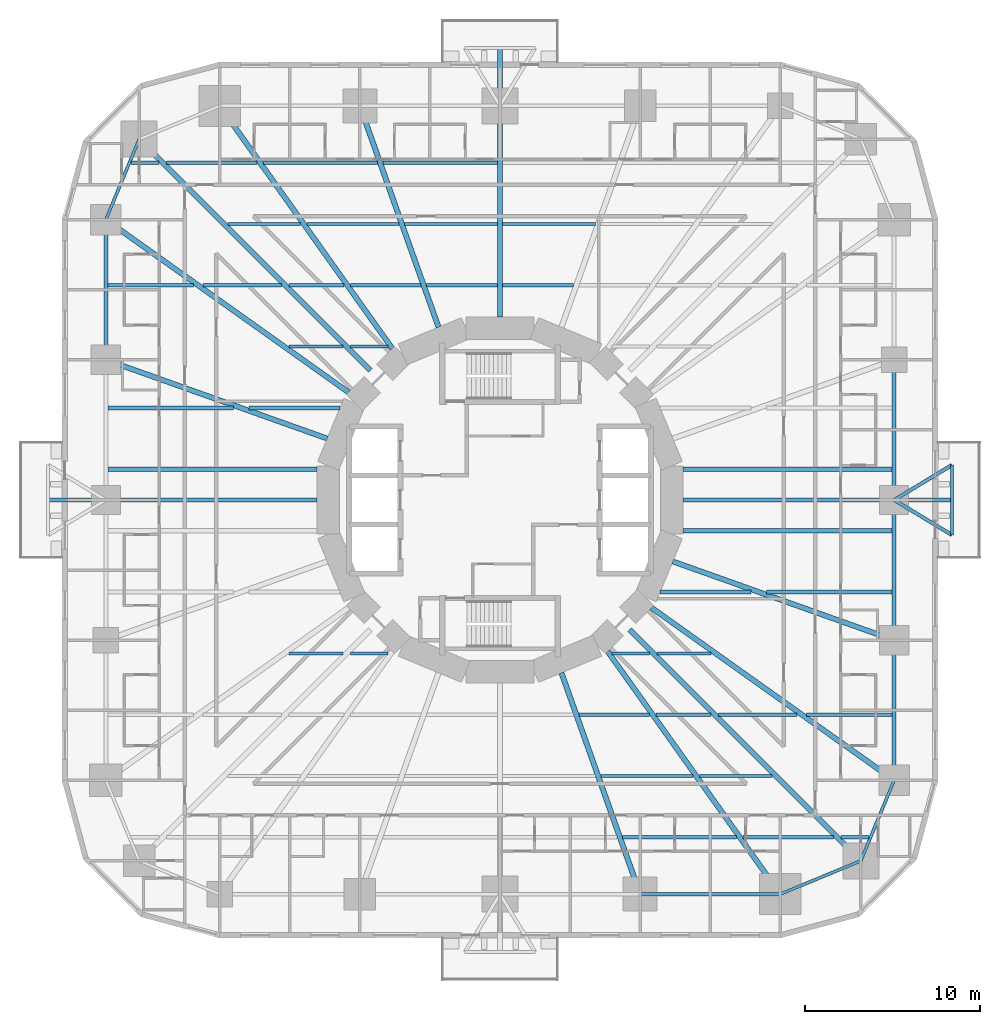
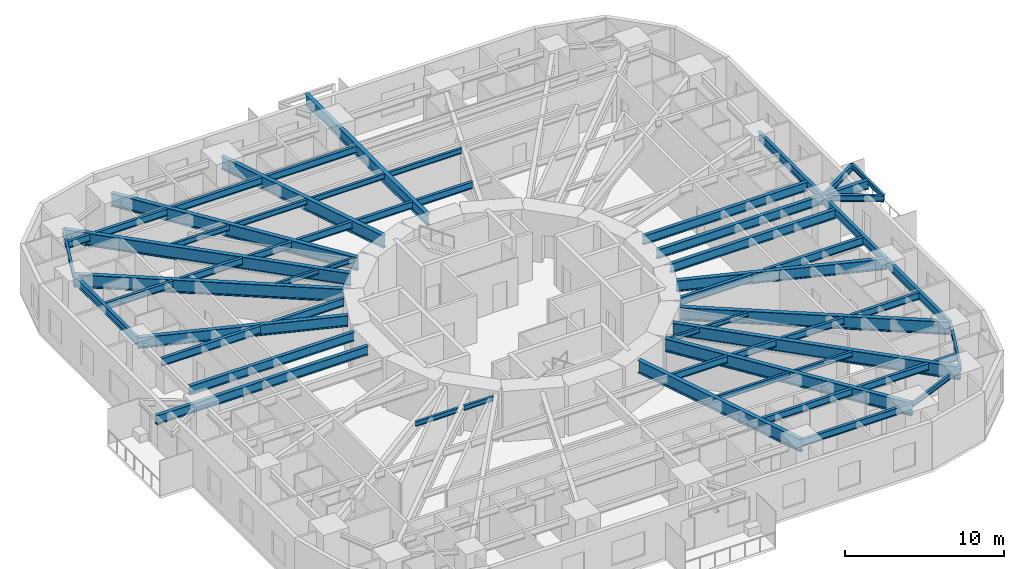
# One storey, part 2 of 14: 60 beams.
"""IFC4 building model written with IfcOpenShell, lengths in metres."""

from ifc_helpers import new_model, si_unit, direction, frame, origin, origin_2d, place, context, subcontext, project, spatial, i_section, extrude, material, material_profile, profile_set, type_object, element, save


model = new_model("IFC4")

# Units and contexts
model_context = context("Model", 3, precision=1e-05, world=origin(), true_north=direction((0.0, 1.0)))
body_context = subcontext(model_context, "Body", "Model", "MODEL_VIEW")
ifc_project = project(units=[si_unit("LENGTHUNIT", "METRE"), si_unit("AREAUNIT", "SQUARE_METRE"), si_unit("VOLUMEUNIT", "CUBIC_METRE"), si_unit("PLANEANGLEUNIT", "RADIAN"), si_unit("MASSUNIT", "GRAM", prefix="KILO")], contexts=[model_context])

# Site, building, storey
site_placement = place(None, origin())
site = spatial("IfcSite", under=ifc_project, at=site_placement, CompositionType="ELEMENT")
building_placement = place(site_placement, origin())
building = spatial("IfcBuilding", under=site, at=building_placement, Name="Nakasero Lantern House", CompositionType="ELEMENT")
storey_placement = place(building_placement, frame((0.0, 0.0, 31.39990234375)))
storey = spatial("IfcBuildingStorey", under=building, at=storey_placement, Name="L07", CompositionType="ELEMENT", Elevation=31.39990234375)

# Beams
ifc_material_1 = material(Name="Steel S355", Category="steel")
ifc_material_profile_1 = material_profile(ifc_material_1, i_section(OverallWidth=0.199462890625, OverallDepth=0.491943359375, WebThickness=0.01806640625, FlangeThickness=0.031982421875, FilletRadius=0.01025390625, at=origin_2d()), Name="UB 457x191x161")
ifc_profile_set_1 = profile_set([ifc_material_profile_1], Name="Steel S355")
beam_type_1 = type_object("IfcBeamType", Name="Balcony splay beam UB 457x191x161", PredefinedType="BEAM", material=ifc_profile_set_1)
for number, where, z_axis, x_axis, name in (
    (1, (22.5, 0.0, 3.404052734375), (0.855201230787, 0.518296107317, 0.0), (-0.518296107317, 0.855201230787, 0.0), "Balcony splay beam L08 B1-C03A"),
    (2, (22.5, 0.0, 3.404052734375), (0.855201230787, -0.518296107317, 0.0), (0.518296107317, 0.855201230787, 0.0), "Balcony splay beam L08 B1-C03B"),
):
    element("IfcBeam", number, at=place(storey_placement, frame(where, z_axis=z_axis, x_axis=x_axis)), inside=storey, type_object=beam_type_1, Name=name, PredefinedType="BEAM", context=body_context, shape_type="SweptSolid", body=[
        extrude(i_section(OverallWidth=0.199462890625, OverallDepth=0.491943359375, WebThickness=0.01806640625, FlangeThickness=0.031982421875, FilletRadius=0.01025390625, at=origin_2d()), origin(), (0.0, 0.0, 1.0), 3.85888671875),
    ])
ifc_material_2 = material(Name="Steel S355", Category="steel")
ifc_material_profile_2 = material_profile(ifc_material_2, i_section(OverallWidth=0.17138671875, OverallDepth=0.35498046875, WebThickness=0.00732421875, FlangeThickness=0.011474609375, FilletRadius=0.01025390625, at=origin_2d()), Name="UB 356x171x51")
ifc_profile_set_2 = profile_set([ifc_material_profile_2], Name="Steel S355")
beam_type_2 = type_object("IfcBeamType", Name="Balcony tie beam UB 356x171x51", PredefinedType="BEAM", material=ifc_profile_set_2)
beam_1_placement = place(storey_placement, frame((25.800048828125, 2.0, 3.47265625), z_axis=(0.0, -1.0, 0.0), x_axis=(1.0, 0.0, 0.0)))
element("IfcBeam", 3, at=beam_1_placement, inside=storey, type_object=beam_type_2, Name="Balcony tie beam L08 B1-C03", PredefinedType="BEAM", context=body_context, shape_type="SweptSolid", body=[
    extrude(i_section(OverallWidth=0.17138671875, OverallDepth=0.35498046875, WebThickness=0.00732421875, FlangeThickness=0.011474609375, FilletRadius=0.01025390625, at=origin_2d()), origin(), (0.0, 0.0, 1.0), 4.0),
])
ifc_material_3 = material(Name="Steel S355", Category="steel")
ifc_material_profile_3 = material_profile(ifc_material_3, i_section(OverallWidth=0.17138671875, OverallDepth=0.35498046875, WebThickness=0.00732421875, FlangeThickness=0.011474609375, FilletRadius=0.01025390625, at=origin_2d()), Name="UB 356x171x51")
ifc_profile_set_3 = profile_set([ifc_material_profile_3], Name="Steel S355")
beam_type_3 = type_object("IfcBeamType", Name="Infill beam UB 356x171x51", PredefinedType="JOIST", material=ifc_profile_set_3)
beam_2_placement = place(storey_placement, frame((-12.0458984375, -8.75, 3.47265625), z_axis=(1.0, 0.0, 0.0), x_axis=(0.0, 1.0, 0.0)))
element("IfcBeam", 4, at=beam_2_placement, inside=storey, type_object=beam_type_3, Name="Infill beam L08 05.1", PredefinedType="JOIST", context=body_context, shape_type="SweptSolid", body=[
    extrude(i_section(OverallWidth=0.17138671875, OverallDepth=0.35498046875, WebThickness=0.00732421875, FlangeThickness=0.011474609375, FilletRadius=0.01025390625, at=origin_2d()), origin(), (0.0, 0.0, 1.0), 3.083740234375),
])
for number, where, z_axis, x_axis, name in (
    (5, (-8.537841796875, -8.75, 3.47265625), (1.0, 0.0, 0.0), (0.0, 1.0, 0.0), "Infill beam L08 05.2"),
    (6, (6.40625, -8.75, 3.47265625), (1.0, 0.0, 0.0), (0.0, 1.0, 0.0), "Infill beam L08 05.3"),
):
    element("IfcBeam", number, at=place(storey_placement, frame(where, z_axis=z_axis, x_axis=x_axis)), inside=storey, type_object=beam_type_3, Name=name, PredefinedType="JOIST", context=body_context, shape_type="SweptSolid", body=[
        extrude(i_section(OverallWidth=0.17138671875, OverallDepth=0.35498046875, WebThickness=0.00732421875, FlangeThickness=0.011474609375, FilletRadius=0.01025390625, at=origin_2d()), origin(), (0.0, 0.0, 1.0), 2.131591796875),
    ])
for number, where, z_axis, x_axis, name in (
    (7, (8.962158203125, -8.75, 3.47265625), (1.0, 0.0, 0.0), (0.0, 1.0, 0.0), "Infill beam L08 05.4"),
    (8, (-12.0458984375, 8.75, 3.47265625), (1.0, 0.0, 0.0), (0.0, 1.0, 0.0), "Infill beam L08 10.1"),
):
    element("IfcBeam", number, at=place(storey_placement, frame(where, z_axis=z_axis, x_axis=x_axis)), inside=storey, type_object=beam_type_3, Name=name, PredefinedType="JOIST", context=body_context, shape_type="SweptSolid", body=[
        extrude(i_section(OverallWidth=0.17138671875, OverallDepth=0.35498046875, WebThickness=0.00732421875, FlangeThickness=0.011474609375, FilletRadius=0.01025390625, at=origin_2d()), origin(), (0.0, 0.0, 1.0), 3.083740234375),
    ])
beam_3_placement = place(storey_placement, frame((-8.537841796875, 8.75, 3.47265625), z_axis=(1.0, 0.0, 0.0), x_axis=(0.0, 1.0, 0.0)))
element("IfcBeam", 9, at=beam_3_placement, inside=storey, type_object=beam_type_3, Name="Infill beam L08 10.2", PredefinedType="JOIST", context=body_context, shape_type="SweptSolid", body=[
    extrude(i_section(OverallWidth=0.17138671875, OverallDepth=0.35498046875, WebThickness=0.00732421875, FlangeThickness=0.011474609375, FilletRadius=0.01025390625, at=origin_2d()), origin(), (0.0, 0.0, 1.0), 2.131591796875),
])
ifc_material_4 = material(Name="Steel S355", Category="steel")
ifc_material_profile_4 = material_profile(ifc_material_4, i_section(OverallWidth=0.177978515625, OverallDepth=0.406494140625, WebThickness=0.0078125, FlangeThickness=0.0126953125, FilletRadius=0.01025390625, at=origin_2d()), Name="UB 406x178x60")
ifc_profile_set_4 = profile_set([ifc_material_profile_4], Name="Steel S355")
beam_type_4 = type_object("IfcBeamType", Name="Infill beam UB 406x178x60", PredefinedType="JOIST", material=ifc_profile_set_4)
beam_4_placement = place(storey_placement, frame((5.75927734375, -15.75, 3.44677734375), z_axis=(1.0, 0.0, 0.0), x_axis=(0.0, 1.0, 0.0)))
element("IfcBeam", 10, at=beam_4_placement, inside=storey, type_object=beam_type_4, Name="Infill beam L08 03.5", PredefinedType="JOIST", context=body_context, shape_type="SweptSolid", body=[
    extrude(i_section(OverallWidth=0.177978515625, OverallDepth=0.406494140625, WebThickness=0.0078125, FlangeThickness=0.0126953125, FilletRadius=0.01025390625, at=origin_2d()), origin(), (0.0, 0.0, 1.0), 5.256591796875),
])
for number, where, z_axis, x_axis, name in (
    (11, (11.384033203125, -15.75, 3.44677734375), (1.0, 0.0, 0.0), (0.0, 1.0, 0.0), "Infill beam L08 03.6"),
    (12, (-15.537841796875, 15.75, 3.44677734375), (1.0, 0.0, 0.0), (0.0, 1.0, 0.0), "Infill beam L08 12.1"),
):
    element("IfcBeam", number, at=place(storey_placement, frame(where, z_axis=z_axis, x_axis=x_axis)), inside=storey, type_object=beam_type_4, Name=name, PredefinedType="JOIST", context=body_context, shape_type="SweptSolid", body=[
        extrude(i_section(OverallWidth=0.177978515625, OverallDepth=0.406494140625, WebThickness=0.0078125, FlangeThickness=0.0126953125, FilletRadius=0.01025390625, at=origin_2d()), origin(), (0.0, 0.0, 1.0), 4.15380859375),
    ])
beam_5_placement = place(storey_placement, frame((-11.015869140625, 15.75, 3.44677734375), z_axis=(1.0, 0.0, 0.0), x_axis=(0.0, 1.0, 0.0)))
element("IfcBeam", 13, at=beam_5_placement, inside=storey, type_object=beam_type_4, Name="Infill beam L08 12.2", PredefinedType="JOIST", context=body_context, shape_type="SweptSolid", body=[
    extrude(i_section(OverallWidth=0.177978515625, OverallDepth=0.406494140625, WebThickness=0.0078125, FlangeThickness=0.0126953125, FilletRadius=0.01025390625, at=origin_2d()), origin(), (0.0, 0.0, 1.0), 5.256591796875),
])
for number, where, z_axis, x_axis, name in (
    (14, (-5.44091796875, 15.75, 3.44677734375), (1.0, 0.0, 0.0), (0.0, 1.0, 0.0), "Infill beam L08 12.3"),
    (15, (0.146240234375, 15.75, 3.44677734375), (1.0, 0.0, 0.0), (0.0, 1.0, 0.0), "Infill beam L08 12.4"),
):
    element("IfcBeam", number, at=place(storey_placement, frame(where, z_axis=z_axis, x_axis=x_axis)), inside=storey, type_object=beam_type_4, Name=name, PredefinedType="JOIST", context=body_context, shape_type="SweptSolid", body=[
        extrude(i_section(OverallWidth=0.177978515625, OverallDepth=0.406494140625, WebThickness=0.0078125, FlangeThickness=0.0126953125, FilletRadius=0.01025390625, at=origin_2d()), origin(), (0.0, 0.0, 1.0), 5.294677734375),
    ])
ifc_material_5 = material(Name="Steel S355", Category="steel")
ifc_material_profile_5 = material_profile(ifc_material_5, i_section(OverallWidth=0.208740234375, OverallDepth=0.5283203125, WebThickness=0.009521484375, FlangeThickness=0.01318359375, FilletRadius=0.0126953125, at=origin_2d()), Name="UB 533x210x82")
ifc_profile_set_5 = profile_set([ifc_material_profile_5], Name="Steel S355")
beam_type_5 = type_object("IfcBeamType", Name="Infill beam UB 533x210x82", PredefinedType="JOIST", material=ifc_profile_set_5)
beam_6_placement = place(storey_placement, frame((7.003662109375, -19.25, 3.385986328125), z_axis=(1.0, 0.0, 0.0), x_axis=(0.0, 1.0, 0.0)))
element("IfcBeam", 16, at=beam_6_placement, inside=storey, type_object=beam_type_5, Name="Infill beam L08 02.6", PredefinedType="JOIST", context=body_context, shape_type="SweptSolid", body=[
    extrude(i_section(OverallWidth=0.208740234375, OverallDepth=0.5283203125, WebThickness=0.009521484375, FlangeThickness=0.01318359375, FilletRadius=0.0126953125, at=origin_2d()), origin(), (0.0, 0.0, 1.0), 6.501220703125),
])
beam_7_placement = place(storey_placement, frame((13.873046875, -19.25, 3.385986328125), z_axis=(1.0, 0.0, 0.0), x_axis=(0.0, 1.0, 0.0)))
element("IfcBeam", 17, at=beam_7_placement, inside=storey, type_object=beam_type_5, Name="Infill beam L08 02.7", PredefinedType="JOIST", context=body_context, shape_type="SweptSolid", body=[
    extrude(i_section(OverallWidth=0.208740234375, OverallDepth=0.5283203125, WebThickness=0.009521484375, FlangeThickness=0.01318359375, FilletRadius=0.0126953125, at=origin_2d()), origin(), (0.0, 0.0, 1.0), 5.164794921875),
])
beam_8_placement = place(storey_placement, frame((19.462158203125, -19.25, 3.385986328125), z_axis=(1.0, 0.0, 0.0), x_axis=(0.0, 1.0, 0.0)))
element("IfcBeam", 18, at=beam_8_placement, inside=storey, type_object=beam_type_5, Name="Infill beam L08 02.8", PredefinedType="JOIST", context=body_context, shape_type="SweptSolid", body=[
    extrude(i_section(OverallWidth=0.208740234375, OverallDepth=0.5283203125, WebThickness=0.009521484375, FlangeThickness=0.01318359375, FilletRadius=0.0126953125, at=origin_2d()), origin(), (0.0, 0.0, 1.0), 1.598876953125),
])
beam_9_placement = place(storey_placement, frame((4.5146484375, -12.25, 3.385986328125), z_axis=(1.0, 0.0, 0.0), x_axis=(0.0, 1.0, 0.0)))
element("IfcBeam", 19, at=beam_9_placement, inside=storey, type_object=beam_type_5, Name="Infill beam L08 04.7", PredefinedType="JOIST", context=body_context, shape_type="SweptSolid", body=[
    extrude(i_section(OverallWidth=0.208740234375, OverallDepth=0.5283203125, WebThickness=0.009521484375, FlangeThickness=0.01318359375, FilletRadius=0.0126953125, at=origin_2d()), origin(), (0.0, 0.0, 1.0), 4.012451171875),
])
beam_10_placement = place(storey_placement, frame((8.895263671875, -12.25, 3.385986328125), z_axis=(1.0, 0.0, 0.0), x_axis=(0.0, 1.0, 0.0)))
element("IfcBeam", 20, at=beam_10_placement, inside=storey, type_object=beam_type_5, Name="Infill beam L08 04.8", PredefinedType="JOIST", context=body_context, shape_type="SweptSolid", body=[
    extrude(i_section(OverallWidth=0.208740234375, OverallDepth=0.5283203125, WebThickness=0.009521484375, FlangeThickness=0.01318359375, FilletRadius=0.0126953125, at=origin_2d()), origin(), (0.0, 0.0, 1.0), 3.142578125),
])
beam_11_placement = place(storey_placement, frame((12.462158203125, -12.25, 3.385986328125), z_axis=(1.0, 0.0, 0.0), x_axis=(0.0, 1.0, 0.0)))
element("IfcBeam", 21, at=beam_11_placement, inside=storey, type_object=beam_type_5, Name="Infill beam L08 04.9", PredefinedType="JOIST", context=body_context, shape_type="SweptSolid", body=[
    extrude(i_section(OverallWidth=0.208740234375, OverallDepth=0.5283203125, WebThickness=0.009521484375, FlangeThickness=0.01318359375, FilletRadius=0.0126953125, at=origin_2d()), origin(), (0.0, 0.0, 1.0), 4.505615234375),
])
for number, where, z_axis, x_axis, name in (
    (22, (17.4853515625, -12.25, 3.385986328125), (1.0, 0.0, 0.0), (0.0, 1.0, 0.0), "Infill beam L08 04.10"),
    (23, (-22.385498046875, 12.25, 3.385986328125), (1.0, 0.0, 0.0), (0.0, 1.0, 0.0), "Infill beam L08 11.1"),
):
    element("IfcBeam", number, at=place(storey_placement, frame(where, z_axis=z_axis, x_axis=x_axis)), inside=storey, type_object=beam_type_5, Name=name, PredefinedType="JOIST", context=body_context, shape_type="SweptSolid", body=[
        extrude(i_section(OverallWidth=0.208740234375, OverallDepth=0.5283203125, WebThickness=0.009521484375, FlangeThickness=0.01318359375, FilletRadius=0.0126953125, at=origin_2d()), origin(), (0.0, 0.0, 1.0), 4.900146484375),
    ])
beam_12_placement = place(storey_placement, frame((-16.9677734375, 12.25, 3.385986328125), z_axis=(1.0, 0.0, 0.0), x_axis=(0.0, 1.0, 0.0)))
element("IfcBeam", 24, at=beam_12_placement, inside=storey, type_object=beam_type_5, Name="Infill beam L08 11.2", PredefinedType="JOIST", context=body_context, shape_type="SweptSolid", body=[
    extrude(i_section(OverallWidth=0.208740234375, OverallDepth=0.5283203125, WebThickness=0.009521484375, FlangeThickness=0.01318359375, FilletRadius=0.0126953125, at=origin_2d()), origin(), (0.0, 0.0, 1.0), 4.505615234375),
])
beam_13_placement = place(storey_placement, frame((-12.037841796875, 12.25, 3.385986328125), z_axis=(1.0, 0.0, 0.0), x_axis=(0.0, 1.0, 0.0)))
element("IfcBeam", 25, at=beam_13_placement, inside=storey, type_object=beam_type_5, Name="Infill beam L08 11.3", PredefinedType="JOIST", context=body_context, shape_type="SweptSolid", body=[
    extrude(i_section(OverallWidth=0.208740234375, OverallDepth=0.5283203125, WebThickness=0.009521484375, FlangeThickness=0.01318359375, FilletRadius=0.0126953125, at=origin_2d()), origin(), (0.0, 0.0, 1.0), 3.142578125),
])
beam_14_placement = place(storey_placement, frame((-8.527099609375, 12.25, 3.385986328125), z_axis=(1.0, 0.0, 0.0), x_axis=(0.0, 1.0, 0.0)))
element("IfcBeam", 26, at=beam_14_placement, inside=storey, type_object=beam_type_5, Name="Infill beam L08 11.4", PredefinedType="JOIST", context=body_context, shape_type="SweptSolid", body=[
    extrude(i_section(OverallWidth=0.208740234375, OverallDepth=0.5283203125, WebThickness=0.009521484375, FlangeThickness=0.01318359375, FilletRadius=0.0126953125, at=origin_2d()), origin(), (0.0, 0.0, 1.0), 4.012451171875),
])
for number, where, z_axis, x_axis, name in (
    (27, (-4.1962890625, 12.25, 3.385986328125), (1.0, 0.0, 0.0), (0.0, 1.0, 0.0), "Infill beam L08 11.5"),
    (28, (0.146240234375, 12.25, 3.385986328125), (1.0, 0.0, 0.0), (0.0, 1.0, 0.0), "Infill beam L08 11.6"),
):
    element("IfcBeam", number, at=place(storey_placement, frame(where, z_axis=z_axis, x_axis=x_axis)), inside=storey, type_object=beam_type_5, Name=name, PredefinedType="JOIST", context=body_context, shape_type="SweptSolid", body=[
        extrude(i_section(OverallWidth=0.208740234375, OverallDepth=0.5283203125, WebThickness=0.009521484375, FlangeThickness=0.01318359375, FilletRadius=0.0126953125, at=origin_2d()), origin(), (0.0, 0.0, 1.0), 4.050048828125),
    ])
beam_15_placement = place(storey_placement, frame((-21.06103515625, 19.25, 3.385986328125), z_axis=(1.0, 0.0, 0.0), x_axis=(0.0, 1.0, 0.0)))
element("IfcBeam", 29, at=beam_15_placement, inside=storey, type_object=beam_type_5, Name="Infill beam L08 13.1", PredefinedType="JOIST", context=body_context, shape_type="SweptSolid", body=[
    extrude(i_section(OverallWidth=0.208740234375, OverallDepth=0.5283203125, WebThickness=0.009521484375, FlangeThickness=0.01318359375, FilletRadius=0.0126953125, at=origin_2d()), origin(), (0.0, 0.0, 1.0), 1.598876953125),
])
beam_16_placement = place(storey_placement, frame((-19.037841796875, 19.25, 3.385986328125), z_axis=(1.0, 0.0, 0.0), x_axis=(0.0, 1.0, 0.0)))
element("IfcBeam", 30, at=beam_16_placement, inside=storey, type_object=beam_type_5, Name="Infill beam L08 13.2", PredefinedType="JOIST", context=body_context, shape_type="SweptSolid", body=[
    extrude(i_section(OverallWidth=0.208740234375, OverallDepth=0.5283203125, WebThickness=0.009521484375, FlangeThickness=0.01318359375, FilletRadius=0.0126953125, at=origin_2d()), origin(), (0.0, 0.0, 1.0), 5.164794921875),
])
beam_17_placement = place(storey_placement, frame((-13.5048828125, 19.25, 3.385986328125), z_axis=(1.0, 0.0, 0.0), x_axis=(0.0, 1.0, 0.0)))
element("IfcBeam", 31, at=beam_17_placement, inside=storey, type_object=beam_type_5, Name="Infill beam L08 13.3", PredefinedType="JOIST", context=body_context, shape_type="SweptSolid", body=[
    extrude(i_section(OverallWidth=0.208740234375, OverallDepth=0.5283203125, WebThickness=0.009521484375, FlangeThickness=0.01318359375, FilletRadius=0.0126953125, at=origin_2d()), origin(), (0.0, 0.0, 1.0), 6.501220703125),
])
beam_18_placement = place(storey_placement, frame((-6.685302734375, 19.25, 3.385986328125), z_axis=(1.0, 0.0, 0.0), x_axis=(0.0, 1.0, 0.0)))
element("IfcBeam", 32, at=beam_18_placement, inside=storey, type_object=beam_type_5, Name="Infill beam L08 13.4", PredefinedType="JOIST", context=body_context, shape_type="SweptSolid", body=[
    extrude(i_section(OverallWidth=0.208740234375, OverallDepth=0.5283203125, WebThickness=0.009521484375, FlangeThickness=0.01318359375, FilletRadius=0.0126953125, at=origin_2d()), origin(), (0.0, 0.0, 1.0), 6.5390625),
])
ifc_material_6 = material(Name="Steel S355", Category="steel")
ifc_material_profile_6 = material_profile(ifc_material_6, i_section(OverallWidth=0.2275390625, OverallDepth=0.6025390625, WebThickness=0.010498046875, FlangeThickness=0.014892578125, FilletRadius=0.0126953125, at=origin_2d()), Name="UB 610x229x101")
ifc_profile_set_6 = profile_set([ifc_material_profile_6], Name="Steel S355")
beam_type_6 = type_object("IfcBeamType", Name="Infill beam UB 610x229x101", PredefinedType="JOIST", material=ifc_profile_set_6)
beam_19_placement = place(storey_placement, frame((9.144775390625, -5.25, 3.348876953125), z_axis=(1.0, 0.0, 0.0), x_axis=(0.0, 1.0, 0.0)))
element("IfcBeam", 33, at=beam_19_placement, inside=storey, type_object=beam_type_6, Name="Infill beam L08 06.3", PredefinedType="JOIST", context=body_context, shape_type="SweptSolid", body=[
    extrude(i_section(OverallWidth=0.2275390625, OverallDepth=0.6025390625, WebThickness=0.010498046875, FlangeThickness=0.014892578125, FilletRadius=0.0126953125, at=origin_2d()), origin(), (0.0, 0.0, 1.0), 5.184326171875),
])
for number, where, z_axis, x_axis, name in (
    (34, (15.2021484375, -5.25, 3.348876953125), (1.0, 0.0, 0.0), (0.0, 1.0, 0.0), "Infill beam L08 06.4"),
    (35, (-22.385498046875, 5.25, 3.348876953125), (1.0, 0.0, 0.0), (0.0, 1.0, 0.0), "Infill beam L08 09.1"),
):
    element("IfcBeam", number, at=place(storey_placement, frame(where, z_axis=z_axis, x_axis=x_axis)), inside=storey, type_object=beam_type_6, Name=name, PredefinedType="JOIST", context=body_context, shape_type="SweptSolid", body=[
        extrude(i_section(OverallWidth=0.2275390625, OverallDepth=0.6025390625, WebThickness=0.010498046875, FlangeThickness=0.014892578125, FilletRadius=0.0126953125, at=origin_2d()), origin(), (0.0, 0.0, 1.0), 7.183349609375),
    ])
beam_20_placement = place(storey_placement, frame((-14.3291015625, 5.25, 3.348876953125), z_axis=(1.0, 0.0, 0.0), x_axis=(0.0, 1.0, 0.0)))
element("IfcBeam", 36, at=beam_20_placement, inside=storey, type_object=beam_type_6, Name="Infill beam L08 09.2", PredefinedType="JOIST", context=body_context, shape_type="SweptSolid", body=[
    extrude(i_section(OverallWidth=0.2275390625, OverallDepth=0.6025390625, WebThickness=0.010498046875, FlangeThickness=0.014892578125, FilletRadius=0.0126953125, at=origin_2d()), origin(), (0.0, 0.0, 1.0), 5.184326171875),
])
ifc_material_7 = material(Name="Steel S355", Category="steel")
ifc_material_profile_7 = material_profile(ifc_material_7, i_section(OverallWidth=0.253662109375, OverallDepth=0.68359375, WebThickness=0.012451171875, FlangeThickness=0.01904296875, FilletRadius=0.01513671875, at=origin_2d()), Name="UB 686x254x140")
ifc_profile_set_7 = profile_set([ifc_material_profile_7], Name="Steel S355")
beam_type_7 = type_object("IfcBeamType", Name="Infill beam UB 686x254x140", PredefinedType="JOIST", material=ifc_profile_set_7)
for number, where, z_axis, x_axis, name in (
    (37, (10.457763671875, -1.75, 3.308349609375), (1.0, 0.0, 0.0), (0.0, 1.0, 0.0), "Infill beam L08 07.2"),
    (38, (-22.385498046875, 1.75, 3.308349609375), (1.0, 0.0, 0.0), (0.0, 1.0, 0.0), "Infill beam L08 08.1"),
    (39, (10.457763671875, 1.75, 3.308349609375), (1.0, 0.0, 0.0), (0.0, 1.0, 0.0), "Infill beam L08 08.2"),
):
    element("IfcBeam", number, at=place(storey_placement, frame(where, z_axis=z_axis, x_axis=x_axis)), inside=storey, type_object=beam_type_7, Name=name, PredefinedType="JOIST", context=body_context, shape_type="SweptSolid", body=[
        extrude(i_section(OverallWidth=0.253662109375, OverallDepth=0.68359375, WebThickness=0.012451171875, FlangeThickness=0.01904296875, FilletRadius=0.01513671875, at=origin_2d()), origin(), (0.0, 0.0, 1.0), 11.927734375),
    ])
ifc_material_8 = material(Name="Steel S355", Category="steel")
ifc_material_profile_8 = material_profile(ifc_material_8, i_section(OverallWidth=0.300048828125, OverallDepth=0.97021484375, WebThickness=0.01611328125, FlangeThickness=0.02099609375, FilletRadius=0.030029296875, at=origin_2d()), Name="UB 1016x305x222")
ifc_profile_set_8 = profile_set([ifc_material_profile_8], Name="Steel S355")
beam_type_8 = type_object("IfcBeamType", Name="Primary beam UB 1016x305x222, span 12 to 15 m", PredefinedType="BEAM", material=ifc_profile_set_8)
for number, where, z_axis, x_axis, name in (
    (40, (-8.0, 22.5, 3.1650390625), (0.335010745293, -0.942214307118, 0.0), (0.942214307118, 0.335010745293, 0.0), "Primary beam L08 B1-C10"),
    (41, (8.0, -22.5, 3.1650390625), (-0.335010745293, 0.942214307118, 0.0), (-0.942214307118, -0.335010745293, 0.0), "Primary beam L08 B1-C22"),
):
    element("IfcBeam", number, at=place(storey_placement, frame(where, z_axis=z_axis, x_axis=x_axis)), inside=storey, type_object=beam_type_8, Name=name, PredefinedType="BEAM", context=body_context, shape_type="SweptSolid", body=[
        extrude(i_section(OverallWidth=0.300048828125, OverallDepth=0.97021484375, WebThickness=0.01611328125, FlangeThickness=0.02099609375, FilletRadius=0.030029296875, at=origin_2d()), origin(), (0.0, 0.0, 1.0), 13.408447265625),
    ])
ifc_material_9 = material(Name="Steel S355", Category="steel")
ifc_material_profile_9 = material_profile(ifc_material_9, i_section(OverallWidth=0.300048828125, OverallDepth=0.989990234375, WebThickness=0.0166015625, FlangeThickness=0.031005859375, FilletRadius=0.030029296875, at=origin_2d()), Name="UB 1016x305x272")
ifc_profile_set_9 = profile_set([ifc_material_profile_9], Name="Steel S355")
beam_type_9 = type_object("IfcBeamType", Name="Primary beam UB 1016x305x272, span over 15 m", PredefinedType="BEAM", material=ifc_profile_set_9)
beam_21_placement = place(storey_placement, frame((22.5, -16.0, 3.155029296875), z_axis=(-0.814952159915, 0.579528236629, 0.0), x_axis=(-0.579528236629, -0.814952159915, 0.0)))
element("IfcBeam", 42, at=beam_21_placement, inside=storey, type_object=beam_type_9, Name="Primary beam L08 B1-C01", PredefinedType="BEAM", context=body_context, shape_type="SweptSolid", body=[
    extrude(i_section(OverallWidth=0.300048828125, OverallDepth=0.989990234375, WebThickness=0.0166015625, FlangeThickness=0.031005859375, FilletRadius=0.030029296875, at=origin_2d()), origin(), (0.0, 0.0, 1.0), 17.003173828125),
])
beam_22_placement = place(storey_placement, frame((-20.59619140625, 20.59619140625, 3.155029296875), z_axis=(0.707106781187, -0.707106781187, 0.0), x_axis=(0.707106781187, 0.707106781187, 0.0)))
element("IfcBeam", 43, at=beam_22_placement, inside=storey, type_object=beam_type_9, Name="Primary beam L08 B1-C12", PredefinedType="BEAM", context=body_context, shape_type="SweptSolid", body=[
    extrude(i_section(OverallWidth=0.300048828125, OverallDepth=0.989990234375, WebThickness=0.0166015625, FlangeThickness=0.031005859375, FilletRadius=0.030029296875, at=origin_2d()), origin(), (0.0, 0.0, 1.0), 18.669677734375),
])
beam_23_placement = place(storey_placement, frame((-22.5, 16.0, 3.155029296875), z_axis=(0.814952159915, -0.579528236629, 0.0), x_axis=(0.579528236629, 0.814952159915, 0.0)))
element("IfcBeam", 44, at=beam_23_placement, inside=storey, type_object=beam_type_9, Name="Primary beam L08 B1-C13", PredefinedType="BEAM", context=body_context, shape_type="SweptSolid", body=[
    extrude(i_section(OverallWidth=0.300048828125, OverallDepth=0.989990234375, WebThickness=0.0166015625, FlangeThickness=0.031005859375, FilletRadius=0.030029296875, at=origin_2d()), origin(), (0.0, 0.0, 1.0), 17.003173828125),
])
beam_24_placement = place(storey_placement, frame((20.59619140625, -20.59619140625, 3.155029296875), z_axis=(-0.707106781187, 0.707106781187, 0.0), x_axis=(-0.707106781187, -0.707106781187, 0.0)))
element("IfcBeam", 45, at=beam_24_placement, inside=storey, type_object=beam_type_9, Name="Primary beam L08 B1-C24", PredefinedType="BEAM", context=body_context, shape_type="SweptSolid", body=[
    extrude(i_section(OverallWidth=0.300048828125, OverallDepth=0.989990234375, WebThickness=0.0166015625, FlangeThickness=0.031005859375, FilletRadius=0.030029296875, at=origin_2d()), origin(), (0.0, 0.0, 1.0), 18.669677734375),
])
ifc_material_10 = material(Name="Steel S355", Category="steel")
ifc_material_profile_10 = material_profile(ifc_material_10, i_section(OverallWidth=0.300048828125, OverallDepth=1.0, WebThickness=0.01904296875, FlangeThickness=0.035888671875, FilletRadius=0.030029296875, at=origin_2d()), Name="UB 1016x305x314")
ifc_profile_set_10 = profile_set([ifc_material_profile_10], Name="Steel S355")
beam_type_10 = type_object("IfcBeamType", Name="Primary beam UB 1016x305x314, span over 15 m", PredefinedType="BEAM", material=ifc_profile_set_10)
for number, where, z_axis, x_axis, name in (
    (46, (-16.0, 22.5, 3.150146484375), (0.579528236629, -0.814952159915, 0.0), (0.814952159915, 0.579528236629, 0.0), "Primary beam L08 B1-C11"),
    (47, (16.0, -22.5, 3.150146484375), (-0.579528236629, 0.814952159915, 0.0), (-0.814952159915, -0.579528236629, 0.0), "Primary beam L08 B1-C23"),
):
    element("IfcBeam", number, at=place(storey_placement, frame(where, z_axis=z_axis, x_axis=x_axis)), inside=storey, type_object=beam_type_10, Name=name, PredefinedType="BEAM", context=body_context, shape_type="SweptSolid", body=[
        extrude(i_section(OverallWidth=0.300048828125, OverallDepth=1.0, WebThickness=0.01904296875, FlangeThickness=0.035888671875, FilletRadius=0.030029296875, at=origin_2d()), origin(), (0.0, 0.0, 1.0), 17.003173828125),
    ])
ifc_material_11 = material(Name="Steel S355", Category="steel")
ifc_material_profile_11 = material_profile(ifc_material_11, i_section(OverallWidth=0.255859375, OverallDepth=0.69287109375, WebThickness=0.014404296875, FlangeThickness=0.023681640625, FilletRadius=0.01513671875, at=origin_2d()), Name="UB 686x254x170")
ifc_profile_set_11 = profile_set([ifc_material_profile_11], Name="Steel S355")
beam_type_11 = type_object("IfcBeamType", Name="Primary beam UB 686x254x170, span 12 to 15 m", PredefinedType="BEAM", material=ifc_profile_set_11)
for number, where, z_axis, x_axis, name in (
    (48, (25.800048828125, 0.0, 3.3037109375), (-1.0, 0.0, 0.0), (0.0, -1.0, 0.0), "Primary beam L08 B1-C03"),
    (49, (-25.800048828125, 0.0, 3.3037109375), (1.0, 0.0, 0.0), (0.0, 1.0, 0.0), "Primary beam L08 B1-C15"),
):
    element("IfcBeam", number, at=place(storey_placement, frame(where, z_axis=z_axis, x_axis=x_axis)), inside=storey, type_object=beam_type_11, Name=name, PredefinedType="BEAM", context=body_context, shape_type="SweptSolid", body=[
        extrude(i_section(OverallWidth=0.255859375, OverallDepth=0.69287109375, WebThickness=0.014404296875, FlangeThickness=0.023681640625, FilletRadius=0.01513671875, at=origin_2d()), origin(), (0.0, 0.0, 1.0), 15.34228515625),
    ])
ifc_material_12 = material(Name="Steel S355", Category="steel")
ifc_material_profile_12 = material_profile(ifc_material_12, i_section(OverallWidth=0.29248046875, OverallDepth=0.8408203125, WebThickness=0.0146484375, FlangeThickness=0.02685546875, FilletRadius=0.017822265625, at=origin_2d()), Name="UB 838x292x194")
ifc_profile_set_12 = profile_set([ifc_material_profile_12], Name="Steel S355")
beam_type_12 = type_object("IfcBeamType", Name="Primary beam UB 838x292x194, span 12 to 15 m", PredefinedType="BEAM", material=ifc_profile_set_12)
beam_25_placement = place(storey_placement, frame((22.5, -8.0, 3.229736328125), z_axis=(-0.942214307118, 0.335010745293, 0.0), x_axis=(-0.335010745293, -0.942214307118, 0.0)))
element("IfcBeam", 50, at=beam_25_placement, inside=storey, type_object=beam_type_12, Name="Primary beam L08 B1-C02", PredefinedType="BEAM", context=body_context, shape_type="SweptSolid", body=[
    extrude(i_section(OverallWidth=0.29248046875, OverallDepth=0.8408203125, WebThickness=0.0146484375, FlangeThickness=0.02685546875, FilletRadius=0.017822265625, at=origin_2d()), origin(), (0.0, 0.0, 1.0), 13.408447265625),
])
beam_26_placement = place(storey_placement, frame((0.0, 25.800048828125, 3.229736328125), z_axis=(0.0, -1.0, 0.0), x_axis=(1.0, 0.0, 0.0)))
element("IfcBeam", 51, at=beam_26_placement, inside=storey, type_object=beam_type_12, Name="Primary beam L08 B1-C09", PredefinedType="BEAM", context=body_context, shape_type="SweptSolid", body=[
    extrude(i_section(OverallWidth=0.29248046875, OverallDepth=0.8408203125, WebThickness=0.0146484375, FlangeThickness=0.02685546875, FilletRadius=0.017822265625, at=origin_2d()), origin(), (0.0, 0.0, 1.0), 15.34228515625),
])
beam_27_placement = place(storey_placement, frame((-22.5, 8.0, 3.229736328125), z_axis=(0.942214307118, -0.335010745293, 0.0), x_axis=(0.335010745293, 0.942214307118, 0.0)))
element("IfcBeam", 52, at=beam_27_placement, inside=storey, type_object=beam_type_12, Name="Primary beam L08 B1-C14", PredefinedType="BEAM", context=body_context, shape_type="SweptSolid", body=[
    extrude(i_section(OverallWidth=0.29248046875, OverallDepth=0.8408203125, WebThickness=0.0146484375, FlangeThickness=0.02685546875, FilletRadius=0.017822265625, at=origin_2d()), origin(), (0.0, 0.0, 1.0), 13.408447265625),
])
ifc_material_13 = material(Name="Steel S355", Category="steel")
ifc_material_profile_13 = material_profile(ifc_material_13, i_section(OverallWidth=0.17138671875, OverallDepth=0.35498046875, WebThickness=0.00732421875, FlangeThickness=0.011474609375, FilletRadius=0.01025390625, at=origin_2d()), Name="UB 356x171x51")
ifc_profile_set_13 = profile_set([ifc_material_profile_13], Name="Steel S355")
beam_type_13 = type_object("IfcBeamType", Name="Ring beam UB 356x171x51", PredefinedType="BEAM", material=ifc_profile_set_13)
for number, where, z_axis, x_axis, name in (
    (53, (-20.59619140625, 20.59619140625, 3.47265625), (-0.382684080569, -0.923879264016, 0.0), (0.923879264016, -0.382684080569, 0.0), "Ring beam L08 B1-C12"),
    (54, (16.0, -22.5, 3.47265625), (0.923879264016, 0.382684080569, 0.0), (-0.382684080569, 0.923879264016, 0.0), "Ring beam L08 B1-C23"),
    (55, (20.59619140625, -20.59619140625, 3.47265625), (0.382684080569, 0.923879264016, 0.0), (-0.923879264016, 0.382684080569, 0.0), "Ring beam L08 B1-C24"),
):
    element("IfcBeam", number, at=place(storey_placement, frame(where, z_axis=z_axis, x_axis=x_axis)), inside=storey, type_object=beam_type_13, Name=name, PredefinedType="BEAM", context=body_context, shape_type="SweptSolid", body=[
        extrude(i_section(OverallWidth=0.17138671875, OverallDepth=0.35498046875, WebThickness=0.00732421875, FlangeThickness=0.011474609375, FilletRadius=0.01025390625, at=origin_2d()), origin(), (0.0, 0.0, 1.0), 4.974853515625),
    ])
ifc_material_14 = material(Name="Steel S355", Category="steel")
ifc_material_profile_14 = material_profile(ifc_material_14, i_section(OverallWidth=0.2099609375, OverallDepth=0.53662109375, WebThickness=0.0107421875, FlangeThickness=0.017333984375, FilletRadius=0.0126953125, at=origin_2d()), Name="UB 533x210x101")
ifc_profile_set_14 = profile_set([ifc_material_profile_14], Name="Steel S355")
beam_type_14 = type_object("IfcBeamType", Name="Ring beam UB 533x210x101", PredefinedType="BEAM", material=ifc_profile_set_14)
beam_28_placement = place(storey_placement, frame((8.0, -22.5, 3.3818359375), z_axis=(1.0, 0.0, 0.0), x_axis=(0.0, 1.0, 0.0)))
element("IfcBeam", 56, at=beam_28_placement, inside=storey, type_object=beam_type_14, Name="Ring beam L08 B1-C22", PredefinedType="BEAM", context=body_context, shape_type="SweptSolid", body=[
    extrude(i_section(OverallWidth=0.2099609375, OverallDepth=0.53662109375, WebThickness=0.0107421875, FlangeThickness=0.017333984375, FilletRadius=0.0126953125, at=origin_2d()), origin(), (0.0, 0.0, 1.0), 8.0),
])
ifc_material_15 = material(Name="Steel S355", Category="steel")
ifc_material_profile_15 = material_profile(ifc_material_15, i_section(OverallWidth=0.22900390625, OverallDepth=0.6123046875, WebThickness=0.011962890625, FlangeThickness=0.01953125, FilletRadius=0.0126953125, at=origin_2d()), Name="UB 610x229x125")
ifc_profile_set_15 = profile_set([ifc_material_profile_15], Name="Steel S355")
beam_type_15 = type_object("IfcBeamType", Name="Ring beam UB 610x229x125", PredefinedType="BEAM", material=ifc_profile_set_15)
for number, where, z_axis, x_axis, name in (
    (57, (22.5, -16.0, 3.343994140625), (0.0, 1.0, 0.0), (-1.0, 0.0, 0.0), "Ring beam L08 B1-C01"),
    (58, (22.5, -8.0, 3.343994140625), (0.0, 1.0, 0.0), (-1.0, 0.0, 0.0), "Ring beam L08 B1-C02"),
    (59, (22.5, 0.0, 3.343994140625), (0.0, 1.0, 0.0), (-1.0, 0.0, 0.0), "Ring beam L08 B1-C03"),
    (60, (-22.5, 16.0, 3.343994140625), (0.0, -1.0, 0.0), (1.0, 0.0, 0.0), "Ring beam L08 B1-C13"),
):
    element("IfcBeam", number, at=place(storey_placement, frame(where, z_axis=z_axis, x_axis=x_axis)), inside=storey, type_object=beam_type_15, Name=name, PredefinedType="BEAM", context=body_context, shape_type="SweptSolid", body=[
        extrude(i_section(OverallWidth=0.22900390625, OverallDepth=0.6123046875, WebThickness=0.011962890625, FlangeThickness=0.01953125, FilletRadius=0.0126953125, at=origin_2d()), origin(), (0.0, 0.0, 1.0), 8.0),
    ])

save(model, "model.ifc")
